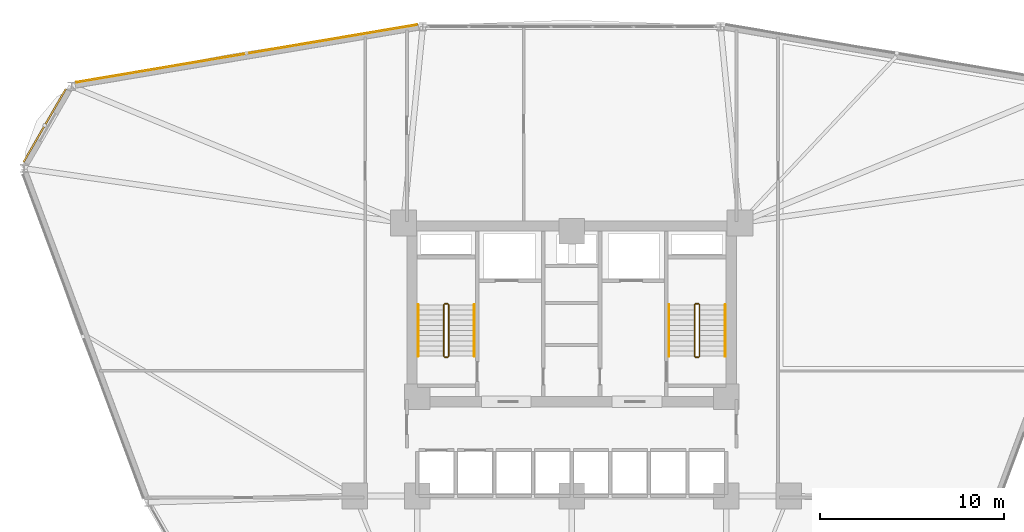
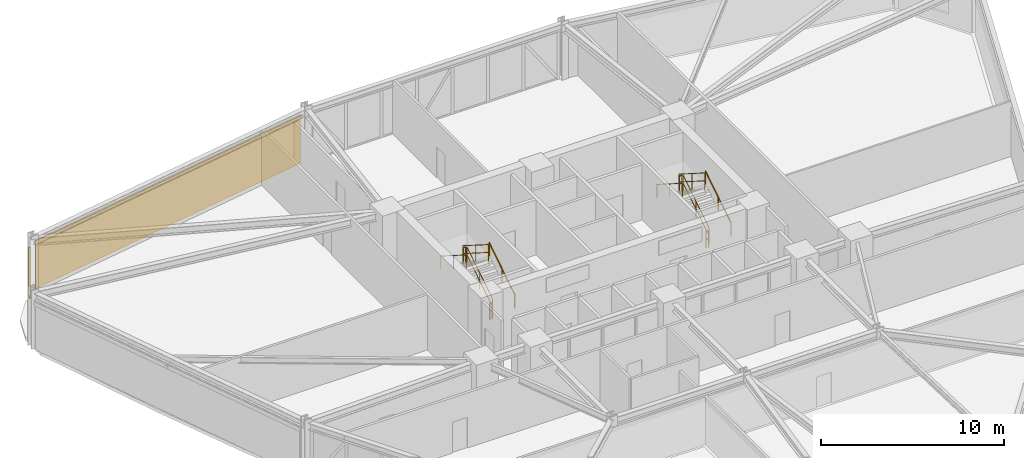
# One storey, part 22 of 23: 12 railings, 2 shading devices, 1 covering.
"""IFC4 building model written with IfcOpenShell, lengths in metres."""

from ifc_helpers import new_model, si_unit, derived_unit, direction, frame, origin, origin_2d, place, context, subcontext, project, spatial, polyline, hollow_rectangle, circle, outline, extrude, source, transform, mapped, material, layer, layer_set, material_profile, profile_set, type_object, element, save


model = new_model("IFC4")

# Units and contexts
model_context = context("Model", 3, precision=1e-05, world=origin(), true_north=direction((0.0, 1.0)))
body_context = subcontext(model_context, "Body", "Model", "MODEL_VIEW")
ifc_project = project(units=[si_unit("LENGTHUNIT", "METRE"), si_unit("AREAUNIT", "SQUARE_METRE"), si_unit("VOLUMEUNIT", "CUBIC_METRE"), si_unit("PLANEANGLEUNIT", "RADIAN"), si_unit("MASSUNIT", "GRAM", prefix="KILO"), derived_unit("THERMALTRANSMITTANCEUNIT", [(si_unit("POWERUNIT", "WATT"), 1), (si_unit("LENGTHUNIT", "METRE"), -2), (si_unit("THERMODYNAMICTEMPERATUREUNIT", "KELVIN"), -1)])], contexts=[model_context])

# Site, building, storey
site_placement = place(None, origin())
site = spatial("IfcSite", under=ifc_project, at=site_placement, CompositionType="ELEMENT")
building_placement = place(site_placement, origin())
building = spatial("IfcBuilding", under=site, at=building_placement, Name="Korsvarv Bourse and Concert Hall", CompositionType="ELEMENT")
storey_placement = place(building_placement, frame((0.0, 0.0, 24.0)))
storey = spatial("IfcBuildingStorey", under=building, at=storey_placement, Name="L05", CompositionType="ELEMENT", Elevation=24.0)

# Covering
ifc_material_1 = material(Name="Warm iron-oxide extruded terracotta rainscreen tile", Category="ceramic")
ifc_layer = layer(ifc_material_1, 0.044921875)
ifc_layer_set = layer_set([ifc_layer], Name="Warm iron-oxide extruded terracotta rainscreen tile")
covering_type = type_object("IfcCoveringType", Name="COV-CLD-TC", PredefinedType="CLADDING", material=ifc_layer_set)
covering_placement = place(storey_placement, origin())
element("IfcCovering", 1, at=covering_placement, inside=storey, type_object=covering_type, Name="L05 fluted terracotta cladding panel EW-L05-B04", PredefinedType="CLADDING", context=body_context, shape_type="SweptSolid", body=[
    extrude(outline(polyline([(27.583984375, 58.000244140625), (9.066650390625, 54.872314453125), (9.05908203125, 54.91650390625), (27.57666015625, 58.044677734375), (27.583984375, 58.000244140625)])), origin(), (0.0, 0.0, 1.0), 2.909912109375),
])

# Railings
ifc_material_2 = material(Name="Painted Steel S355 stair well guardrail", Category="steel")
railing_type_1 = type_object("IfcRailingType", Name="RL-ST-GRD", PredefinedType="GUARDRAIL", material=ifc_material_2)
railing_1_placement = place(storey_placement, frame((29.31005859375, 40.0, 0.17724609375)))
element("IfcRailing", 2, at=railing_1_placement, inside=storey, type_object=railing_type_1, Name="L05 ST-T1 stair guard 1", PredefinedType="GUARDRAIL", context=body_context, shape_type="SweptSolid", body=[
    extrude(circle(Radius=0.02392578125, at=origin_2d()), frame((0.0, 0.0, 1.076171875), z_axis=(0.0, 0.844908973607, 0.534910110503), x_axis=(-1.0, 0.0, 0.0)), (0.0, 0.0, 1.0), 3.31396484375),
    extrude(circle(Radius=0.02392578125, at=origin_2d()), frame((0.0, 0.0, 0.550048828125), z_axis=(0.0, 0.844908973607, 0.534910110503), x_axis=(-1.0, 0.0, 0.0)), (0.0, 0.0, 1.0), 3.31396484375),
    extrude(circle(Radius=0.02099609375, at=origin_2d()), origin(), (0.0, 0.0, 1.0), 1.052001953125),
    extrude(circle(Radius=0.02099609375, at=origin_2d()), frame((0.0, 1.39990234375, 0.88623046875)), (0.0, 0.0, 1.0), 1.052001953125),
    extrude(circle(Radius=0.02099609375, at=origin_2d()), frame((0.0, 2.800048828125, 1.772705078125)), (0.0, 0.0, 1.0), 1.052001953125),
])
railing_2_placement = place(storey_placement, frame((29.260009765625, 42.85009765625, 1.949951171875)))
element("IfcRailing", 3, at=railing_2_placement, inside=storey, type_object=railing_type_1, Name="L05 ST-T1 stair guard 2", PredefinedType="GUARDRAIL", context=body_context, shape_type="SweptSolid", body=[
    extrude(circle(Radius=0.02392578125, at=origin_2d()), frame((0.0, 0.0, 1.076171875), z_axis=(-1.0, 0.0, 0.0), x_axis=(0.0, -1.0, 0.0)), (0.0, 0.0, 1.0), 0.159912109375),
    extrude(circle(Radius=0.02392578125, at=origin_2d()), frame((0.0, 0.0, 0.550048828125), z_axis=(-1.0, 0.0, 0.0), x_axis=(0.0, -1.0, 0.0)), (0.0, 0.0, 1.0), 0.159912109375),
    extrude(circle(Radius=0.02099609375, at=origin_2d()), origin(), (0.0, 0.0, 1.0), 1.052001953125),
    extrude(circle(Radius=0.02099609375, at=origin_2d()), frame((-0.159912109375, 0.0, 0.0)), (0.0, 0.0, 1.0), 1.052001953125),
])
railing_3_placement = place(storey_placement, frame((29.050048828125, 42.800048828125, 2.127197265625)))
element("IfcRailing", 4, at=railing_3_placement, inside=storey, type_object=railing_type_1, Name="L05 ST-T1 stair guard 3", PredefinedType="GUARDRAIL", context=body_context, shape_type="SweptSolid", body=[
    extrude(circle(Radius=0.02392578125, at=origin_2d()), frame((0.0, 0.0, 1.076171875), z_axis=(0.0, -0.844908973607, 0.534910110503), x_axis=(1.0, 0.0, 0.0)), (0.0, 0.0, 1.0), 3.31396484375),
    extrude(circle(Radius=0.02392578125, at=origin_2d()), frame((0.0, 0.0, 0.550048828125), z_axis=(0.0, -0.844908973607, 0.534910110503), x_axis=(1.0, 0.0, 0.0)), (0.0, 0.0, 1.0), 3.31396484375),
    extrude(circle(Radius=0.02099609375, at=origin_2d()), origin(), (0.0, 0.0, 1.0), 1.052001953125),
    extrude(circle(Radius=0.02099609375, at=origin_2d()), frame((0.0, -1.39990234375, 0.88623046875)), (0.0, 0.0, 1.0), 1.052001953125),
    extrude(circle(Radius=0.02099609375, at=origin_2d()), frame((0.0, -2.800048828125, 1.772705078125)), (0.0, 0.0, 1.0), 1.052001953125),
])
railing_4_placement = place(storey_placement, frame((29.260009765625, 39.949951171875, 0.0)))
element("IfcRailing", 5, at=railing_4_placement, inside=storey, type_object=railing_type_1, Name="L05 ST-T1 stair guard 4", PredefinedType="GUARDRAIL", context=body_context, shape_type="SweptSolid", body=[
    extrude(circle(Radius=0.02392578125, at=origin_2d()), frame((0.0, 0.0, 1.076171875), z_axis=(-1.0, 0.0, 0.0), x_axis=(0.0, -1.0, 0.0)), (0.0, 0.0, 1.0), 0.159912109375),
    extrude(circle(Radius=0.02392578125, at=origin_2d()), frame((0.0, 0.0, 0.550048828125), z_axis=(-1.0, 0.0, 0.0), x_axis=(0.0, -1.0, 0.0)), (0.0, 0.0, 1.0), 0.159912109375),
    extrude(circle(Radius=0.02099609375, at=origin_2d()), origin(), (0.0, 0.0, 1.0), 1.052001953125),
    extrude(circle(Radius=0.02099609375, at=origin_2d()), frame((-0.159912109375, 0.0, 0.0)), (0.0, 0.0, 1.0), 1.052001953125),
])
railing_5_placement = place(storey_placement, frame((42.949951171875, 40.0, 0.17724609375)))
element("IfcRailing", 6, at=railing_5_placement, inside=storey, type_object=railing_type_1, Name="L05 ST-T2 stair guard 1", PredefinedType="GUARDRAIL", context=body_context, shape_type="SweptSolid", body=[
    extrude(circle(Radius=0.02392578125, at=origin_2d()), frame((0.0, 0.0, 1.076171875), z_axis=(0.0, 0.844908973607, 0.534910110503), x_axis=(-1.0, 0.0, 0.0)), (0.0, 0.0, 1.0), 3.31396484375),
    extrude(circle(Radius=0.02392578125, at=origin_2d()), frame((0.0, 0.0, 0.550048828125), z_axis=(0.0, 0.844908973607, 0.534910110503), x_axis=(-1.0, 0.0, 0.0)), (0.0, 0.0, 1.0), 3.31396484375),
    extrude(circle(Radius=0.02099609375, at=origin_2d()), origin(), (0.0, 0.0, 1.0), 1.052001953125),
    extrude(circle(Radius=0.02099609375, at=origin_2d()), frame((0.0, 1.39990234375, 0.88623046875)), (0.0, 0.0, 1.0), 1.052001953125),
    extrude(circle(Radius=0.02099609375, at=origin_2d()), frame((0.0, 2.800048828125, 1.772705078125)), (0.0, 0.0, 1.0), 1.052001953125),
])
railing_6_placement = place(storey_placement, frame((42.89990234375, 42.85009765625, 1.949951171875)))
element("IfcRailing", 7, at=railing_6_placement, inside=storey, type_object=railing_type_1, Name="L05 ST-T2 stair guard 2", PredefinedType="GUARDRAIL", context=body_context, shape_type="SweptSolid", body=[
    extrude(circle(Radius=0.02392578125, at=origin_2d()), frame((0.0, 0.0, 1.076171875), z_axis=(-1.0, 0.0, 0.0), x_axis=(0.0, -1.0, 0.0)), (0.0, 0.0, 1.0), 0.159912109375),
    extrude(circle(Radius=0.02392578125, at=origin_2d()), frame((0.0, 0.0, 0.550048828125), z_axis=(-1.0, 0.0, 0.0), x_axis=(0.0, -1.0, 0.0)), (0.0, 0.0, 1.0), 0.159912109375),
    extrude(circle(Radius=0.02099609375, at=origin_2d()), origin(), (0.0, 0.0, 1.0), 1.052001953125),
    extrude(circle(Radius=0.02099609375, at=origin_2d()), frame((-0.159912109375, 0.0, 0.0)), (0.0, 0.0, 1.0), 1.052001953125),
])
railing_7_placement = place(storey_placement, frame((42.68994140625, 42.800048828125, 2.127197265625)))
element("IfcRailing", 8, at=railing_7_placement, inside=storey, type_object=railing_type_1, Name="L05 ST-T2 stair guard 3", PredefinedType="GUARDRAIL", context=body_context, shape_type="SweptSolid", body=[
    extrude(circle(Radius=0.02392578125, at=origin_2d()), frame((0.0, 0.0, 1.076171875), z_axis=(0.0, -0.844908973607, 0.534910110503), x_axis=(1.0, 0.0, 0.0)), (0.0, 0.0, 1.0), 3.31396484375),
    extrude(circle(Radius=0.02392578125, at=origin_2d()), frame((0.0, 0.0, 0.550048828125), z_axis=(0.0, -0.844908973607, 0.534910110503), x_axis=(1.0, 0.0, 0.0)), (0.0, 0.0, 1.0), 3.31396484375),
    extrude(circle(Radius=0.02099609375, at=origin_2d()), origin(), (0.0, 0.0, 1.0), 1.052001953125),
    extrude(circle(Radius=0.02099609375, at=origin_2d()), frame((0.0, -1.39990234375, 0.88623046875)), (0.0, 0.0, 1.0), 1.052001953125),
    extrude(circle(Radius=0.02099609375, at=origin_2d()), frame((0.0, -2.800048828125, 1.772705078125)), (0.0, 0.0, 1.0), 1.052001953125),
])
railing_8_placement = place(storey_placement, frame((42.89990234375, 39.949951171875, 0.0)))
element("IfcRailing", 9, at=railing_8_placement, inside=storey, type_object=railing_type_1, Name="L05 ST-T2 stair guard 4", PredefinedType="GUARDRAIL", context=body_context, shape_type="SweptSolid", body=[
    extrude(circle(Radius=0.02392578125, at=origin_2d()), frame((0.0, 0.0, 1.076171875), z_axis=(-1.0, 0.0, 0.0), x_axis=(0.0, -1.0, 0.0)), (0.0, 0.0, 1.0), 0.159912109375),
    extrude(circle(Radius=0.02392578125, at=origin_2d()), frame((0.0, 0.0, 0.550048828125), z_axis=(-1.0, 0.0, 0.0), x_axis=(0.0, -1.0, 0.0)), (0.0, 0.0, 1.0), 0.159912109375),
    extrude(circle(Radius=0.02099609375, at=origin_2d()), origin(), (0.0, 0.0, 1.0), 1.052001953125),
    extrude(circle(Radius=0.02099609375, at=origin_2d()), frame((-0.159912109375, 0.0, 0.0)), (0.0, 0.0, 1.0), 1.052001953125),
])
ifc_material_3 = material(Name="Brushed stainless Steel S355 tubular handrail", Category="steel")
railing_type_2 = type_object("IfcRailingType", Name="RL-ST-HND", PredefinedType="HANDRAIL", material=ifc_material_3)
railing_9_placement = place(storey_placement, frame((30.7099609375, 40.0, 0.17724609375)))
element("IfcRailing", 10, at=railing_9_placement, inside=storey, type_object=railing_type_2, Name="L05 ST-T1 stair handrail 1", PredefinedType="HANDRAIL", context=body_context, shape_type="SweptSolid", body=[
    extrude(circle(Radius=0.02392578125, at=origin_2d()), frame((0.0, 0.0, 0.8759765625), z_axis=(0.0, 0.844908973607, 0.534910110503), x_axis=(-1.0, 0.0, 0.0)), (0.0, 0.0, 1.0), 3.31396484375),
    extrude(circle(Radius=0.02099609375, at=origin_2d()), origin(), (0.0, 0.0, 1.0), 0.851806640625),
    extrude(circle(Radius=0.02099609375, at=origin_2d()), frame((0.0, 1.39990234375, 0.88623046875)), (0.0, 0.0, 1.0), 0.851806640625),
    extrude(circle(Radius=0.02099609375, at=origin_2d()), frame((0.0, 2.800048828125, 1.772705078125)), (0.0, 0.0, 1.0), 0.851806640625),
])
railing_10_placement = place(storey_placement, frame((27.64990234375, 42.800048828125, 2.127197265625)))
element("IfcRailing", 11, at=railing_10_placement, inside=storey, type_object=railing_type_2, Name="L05 ST-T1 stair handrail 2", PredefinedType="HANDRAIL", context=body_context, shape_type="SweptSolid", body=[
    extrude(circle(Radius=0.02392578125, at=origin_2d()), frame((0.0, 0.0, 0.8759765625), z_axis=(0.0, -0.844908973607, 0.534910110503), x_axis=(1.0, 0.0, 0.0)), (0.0, 0.0, 1.0), 3.31396484375),
    extrude(circle(Radius=0.02099609375, at=origin_2d()), origin(), (0.0, 0.0, 1.0), 0.851806640625),
    extrude(circle(Radius=0.02099609375, at=origin_2d()), frame((0.0, -1.39990234375, 0.88623046875)), (0.0, 0.0, 1.0), 0.851806640625),
    extrude(circle(Radius=0.02099609375, at=origin_2d()), frame((0.0, -2.800048828125, 1.772705078125)), (0.0, 0.0, 1.0), 0.851806640625),
])
railing_11_placement = place(storey_placement, frame((44.35009765625, 40.0, 0.17724609375)))
element("IfcRailing", 12, at=railing_11_placement, inside=storey, type_object=railing_type_2, Name="L05 ST-T2 stair handrail 1", PredefinedType="HANDRAIL", context=body_context, shape_type="SweptSolid", body=[
    extrude(circle(Radius=0.02392578125, at=origin_2d()), frame((0.0, 0.0, 0.8759765625), z_axis=(0.0, 0.844908973607, 0.534910110503), x_axis=(-1.0, 0.0, 0.0)), (0.0, 0.0, 1.0), 3.31396484375),
    extrude(circle(Radius=0.02099609375, at=origin_2d()), origin(), (0.0, 0.0, 1.0), 0.851806640625),
    extrude(circle(Radius=0.02099609375, at=origin_2d()), frame((0.0, 1.39990234375, 0.88623046875)), (0.0, 0.0, 1.0), 0.851806640625),
    extrude(circle(Radius=0.02099609375, at=origin_2d()), frame((0.0, 2.800048828125, 1.772705078125)), (0.0, 0.0, 1.0), 0.851806640625),
])
railing_12_placement = place(storey_placement, frame((41.2900390625, 42.800048828125, 2.127197265625)))
element("IfcRailing", 13, at=railing_12_placement, inside=storey, type_object=railing_type_2, Name="L05 ST-T2 stair handrail 2", PredefinedType="HANDRAIL", context=body_context, shape_type="SweptSolid", body=[
    extrude(circle(Radius=0.02392578125, at=origin_2d()), frame((0.0, 0.0, 0.8759765625), z_axis=(0.0, -0.844908973607, 0.534910110503), x_axis=(1.0, 0.0, 0.0)), (0.0, 0.0, 1.0), 3.31396484375),
    extrude(circle(Radius=0.02099609375, at=origin_2d()), origin(), (0.0, 0.0, 1.0), 0.851806640625),
    extrude(circle(Radius=0.02099609375, at=origin_2d()), frame((0.0, -1.39990234375, 0.88623046875)), (0.0, 0.0, 1.0), 0.851806640625),
    extrude(circle(Radius=0.02099609375, at=origin_2d()), frame((0.0, -2.800048828125, 1.772705078125)), (0.0, 0.0, 1.0), 0.851806640625),
])

# Shading devices
ifc_material_4 = material(Name="Glazed extruded architectural terracotta", Category="ceramic")
ifc_material_profile = material_profile(ifc_material_4, hollow_rectangle(XDim=0.090087890625, YDim=0.260009765625, WallThickness=0.011962890625, at=origin_2d()), Name="TC-BAG 90x260")
ifc_profile_set = profile_set([ifc_material_profile], Name="Glazed extruded architectural terracotta")
shading_device_type = type_object("IfcShadingDeviceType", Name="SHD-BAG-1", PredefinedType="USERDEFINED", material=ifc_profile_set)
shared_shape_1 = source(origin(), body_context, "Body", "SweptSolid", [
    extrude(hollow_rectangle(XDim=0.090087890625, YDim=0.260009765625, WallThickness=0.011962890625, at=origin_2d()), origin(), (0.0, 0.0, 1.0), 4.604736328125),
])
shading_device_1_placement = place(storey_placement, frame((8.493408203125, 54.53955078125, 3.070068359375), z_axis=(-0.500022295776, -0.86601253093, 0.0), x_axis=(0.86601253093, -0.500022295776, 0.0)))
element("IfcShadingDevice", 14, at=shading_device_1_placement, inside=storey, type_object=shading_device_type, Name="L05 terracotta baguette sunshade EW-L05-B05", ObjectType="BAGUETTE", PredefinedType="USERDEFINED", context=body_context, shape_type="MappedRepresentation", body=[
    mapped(shared_shape_1, transform((0.0, 0.0, 0.0), scale=1.0)),
])
shared_shape_2 = source(origin(), body_context, "Body", "SweptSolid", [
    extrude(hollow_rectangle(XDim=0.090087890625, YDim=0.260009765625, WallThickness=0.011962890625, at=origin_2d()), origin(), (0.0, 0.0, 1.0), 18.93994140625),
])
shading_device_2_placement = place(storey_placement, frame((27.656494140625, 58.052978515625, 3.070068359375), z_axis=(-0.98603202958, -0.166555806393, 0.0), x_axis=(0.166555806393, -0.98603202958, 0.0)))
element("IfcShadingDevice", 15, at=shading_device_2_placement, inside=storey, type_object=shading_device_type, Name="L05 terracotta baguette sunshade EW-L05-B04", ObjectType="BAGUETTE", PredefinedType="USERDEFINED", context=body_context, shape_type="MappedRepresentation", body=[
    mapped(shared_shape_2, transform((0.0, 0.0, 0.0), scale=1.0)),
])

save(model, "model.ifc")
